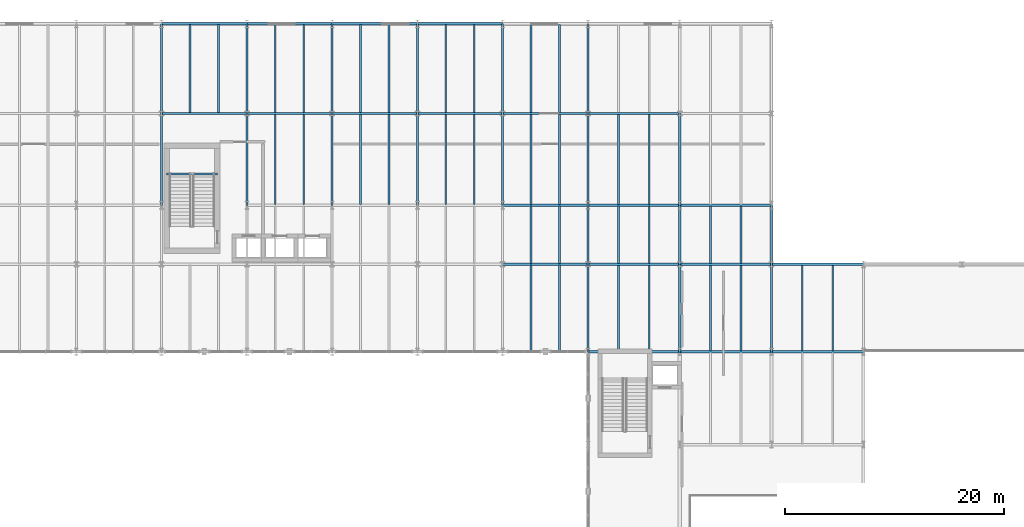
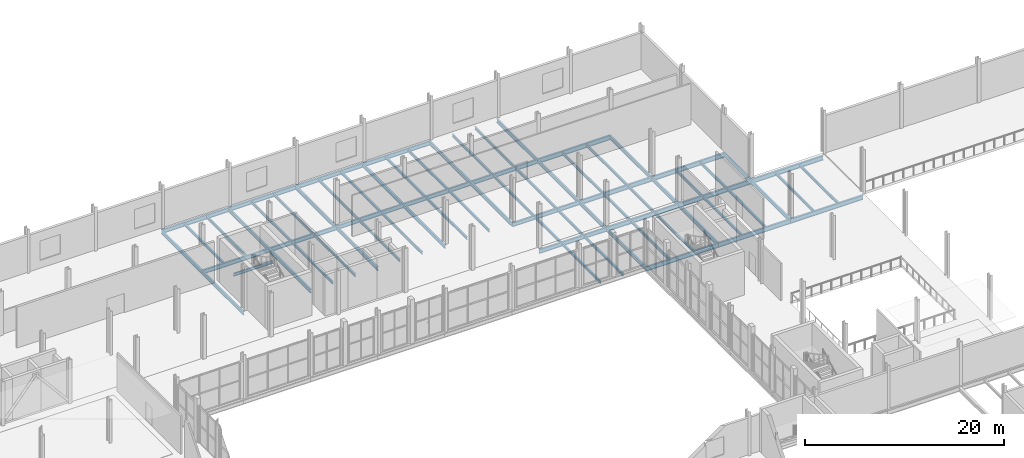
# One storey, part 33 of 78: 74 beams.
"""IFC4 building model written with IfcOpenShell, lengths in metres."""

from ifc_helpers import new_model, si_unit, direction, frame, origin, origin_2d, place, context, subcontext, project, spatial, i_section, extrude, material, material_profile, profile_set, type_object, element, save


model = new_model("IFC4")

# Units and contexts
model_context = context("Model", 3, precision=1e-05, world=origin(), true_north=direction((0.0, 1.0)))
body_context = subcontext(model_context, "Body", "Model", "MODEL_VIEW")
ifc_project = project(units=[si_unit("LENGTHUNIT", "METRE"), si_unit("AREAUNIT", "SQUARE_METRE"), si_unit("VOLUMEUNIT", "CUBIC_METRE"), si_unit("PLANEANGLEUNIT", "RADIAN"), si_unit("MASSUNIT", "GRAM", prefix="KILO")], contexts=[model_context])

# Site, building, storey
site_placement = place(None, origin())
site = spatial("IfcSite", under=ifc_project, at=site_placement, CompositionType="ELEMENT")
building_placement = place(site_placement, origin())
building = spatial("IfcBuilding", under=site, at=building_placement, Name="Sefraquen Railside Congress Hotel", CompositionType="ELEMENT")
storey_placement = place(building_placement, frame((0.0, 0.0, 6.0)))
storey = spatial("IfcBuildingStorey", under=building, at=storey_placement, Name="L01", CompositionType="ELEMENT", Elevation=6.0)

# Beams
ifc_material = material(Name="Steel S355JR", Category="steel")
ifc_material_profile_1 = material_profile(ifc_material, i_section(OverallWidth=0.169921875, OverallDepth=0.360107421875, WebThickness=0.008056640625, FlangeThickness=0.0126953125, FilletRadius=0.01806640625, at=origin_2d()), Name="IPE 360")
ifc_profile_set_1 = profile_set([ifc_material_profile_1], Name="Steel S355JR")
beam_type_1 = type_object("IfcBeamType", Name="TB-BM-360", PredefinedType="BEAM", material=ifc_profile_set_1)
beam_1_placement = place(storey_placement, frame((64.64990234375, 104.27001953125, 2.320068359375), z_axis=(1.0, 0.0, 0.0), x_axis=(0.0, 1.0, 0.0)))
element("IfcBeam", 1, at=beam_1_placement, inside=storey, type_object=beam_type_1, Name="Stair ST-H03 L01 mid-landing corbel beam", PredefinedType="BEAM", context=body_context, shape_type="SweptSolid", body=[
    extrude(i_section(OverallWidth=0.169921875, OverallDepth=0.360107421875, WebThickness=0.008056640625, FlangeThickness=0.0126953125, FilletRadius=0.01806640625, at=origin_2d()), origin(), (0.0, 0.0, 1.0), 4.66015625),
])
ifc_material_profile_2 = material_profile(ifc_material, i_section(OverallWidth=0.18994140625, OverallDepth=0.449951171875, WebThickness=0.009521484375, FlangeThickness=0.0146484375, FilletRadius=0.02099609375, at=origin_2d()), Name="IPE 450")
ifc_profile_set_2 = profile_set([ifc_material_profile_2], Name="Steel S355JR")
beam_type_2 = type_object("IfcBeamType", Name="TB-BM-450", PredefinedType="BEAM", material=ifc_profile_set_2)
beam_2_placement = place(storey_placement, frame((64.199951171875, 101.39990234375, -0.52490234375), z_axis=(0.0, 1.0, 0.0), x_axis=(-1.0, 0.0, 0.0)))
element("IfcBeam", 2, at=beam_2_placement, inside=storey, type_object=beam_type_2, Name="Floor beam BM-L01-0575", PredefinedType="BEAM", context=body_context, shape_type="SweptSolid", body=[
    extrude(i_section(OverallWidth=0.18994140625, OverallDepth=0.449951171875, WebThickness=0.009521484375, FlangeThickness=0.0146484375, FilletRadius=0.02099609375, at=origin_2d()), origin(), (0.0, 0.0, 1.0), 8.400146484375),
])
beam_3_placement = place(storey_placement, frame((64.199951171875, 109.800048828125, -0.52490234375), z_axis=(0.0, 1.0, 0.0), x_axis=(-1.0, 0.0, 0.0)))
element("IfcBeam", 3, at=beam_3_placement, inside=storey, type_object=beam_type_2, Name="Floor beam BM-L01-0576", PredefinedType="BEAM", context=body_context, shape_type="SweptSolid", body=[
    extrude(i_section(OverallWidth=0.18994140625, OverallDepth=0.449951171875, WebThickness=0.009521484375, FlangeThickness=0.0146484375, FilletRadius=0.02099609375, at=origin_2d()), origin(), (0.0, 0.0, 1.0), 8.199951171875),
])
beam_4_placement = place(storey_placement, frame((72.0, 101.39990234375, -0.52490234375), z_axis=(0.0, 1.0, 0.0), x_axis=(-1.0, 0.0, 0.0)))
element("IfcBeam", 4, at=beam_4_placement, inside=storey, type_object=beam_type_2, Name="Floor beam BM-L01-0579", PredefinedType="BEAM", context=body_context, shape_type="SweptSolid", body=[
    extrude(i_section(OverallWidth=0.18994140625, OverallDepth=0.449951171875, WebThickness=0.009521484375, FlangeThickness=0.0146484375, FilletRadius=0.02099609375, at=origin_2d()), origin(), (0.0, 0.0, 1.0), 8.400146484375),
])
beam_5_placement = place(storey_placement, frame((72.0, 109.800048828125, -0.52490234375), z_axis=(0.0, 1.0, 0.0), x_axis=(-1.0, 0.0, 0.0)))
element("IfcBeam", 5, at=beam_5_placement, inside=storey, type_object=beam_type_2, Name="Floor beam BM-L01-0580", PredefinedType="BEAM", context=body_context, shape_type="SweptSolid", body=[
    extrude(i_section(OverallWidth=0.18994140625, OverallDepth=0.449951171875, WebThickness=0.009521484375, FlangeThickness=0.0146484375, FilletRadius=0.02099609375, at=origin_2d()), origin(), (0.0, 0.0, 1.0), 8.199951171875),
])
beam_6_placement = place(storey_placement, frame((79.800048828125, 101.39990234375, -0.52490234375), z_axis=(0.0, 1.0, 0.0), x_axis=(-1.0, 0.0, 0.0)))
element("IfcBeam", 6, at=beam_6_placement, inside=storey, type_object=beam_type_2, Name="Floor beam BM-L01-0584", PredefinedType="BEAM", context=body_context, shape_type="SweptSolid", body=[
    extrude(i_section(OverallWidth=0.18994140625, OverallDepth=0.449951171875, WebThickness=0.009521484375, FlangeThickness=0.0146484375, FilletRadius=0.02099609375, at=origin_2d()), origin(), (0.0, 0.0, 1.0), 8.400146484375),
])
beam_7_placement = place(storey_placement, frame((79.800048828125, 109.800048828125, -0.52490234375), z_axis=(0.0, 1.0, 0.0), x_axis=(-1.0, 0.0, 0.0)))
element("IfcBeam", 7, at=beam_7_placement, inside=storey, type_object=beam_type_2, Name="Floor beam BM-L01-0585", PredefinedType="BEAM", context=body_context, shape_type="SweptSolid", body=[
    extrude(i_section(OverallWidth=0.18994140625, OverallDepth=0.449951171875, WebThickness=0.009521484375, FlangeThickness=0.0146484375, FilletRadius=0.02099609375, at=origin_2d()), origin(), (0.0, 0.0, 1.0), 8.199951171875),
])
beam_8_placement = place(storey_placement, frame((87.60009765625, 101.39990234375, -0.52490234375), z_axis=(0.0, 1.0, 0.0), x_axis=(-1.0, 0.0, 0.0)))
element("IfcBeam", 8, at=beam_8_placement, inside=storey, type_object=beam_type_2, Name="Floor beam BM-L01-0593", PredefinedType="BEAM", context=body_context, shape_type="SweptSolid", body=[
    extrude(i_section(OverallWidth=0.18994140625, OverallDepth=0.449951171875, WebThickness=0.009521484375, FlangeThickness=0.0146484375, FilletRadius=0.02099609375, at=origin_2d()), origin(), (0.0, 0.0, 1.0), 8.400146484375),
])
beam_9_placement = place(storey_placement, frame((87.60009765625, 109.800048828125, -0.52490234375), z_axis=(0.0, 1.0, 0.0), x_axis=(-1.0, 0.0, 0.0)))
element("IfcBeam", 9, at=beam_9_placement, inside=storey, type_object=beam_type_2, Name="Floor beam BM-L01-0594", PredefinedType="BEAM", context=body_context, shape_type="SweptSolid", body=[
    extrude(i_section(OverallWidth=0.18994140625, OverallDepth=0.449951171875, WebThickness=0.009521484375, FlangeThickness=0.0146484375, FilletRadius=0.02099609375, at=origin_2d()), origin(), (0.0, 0.0, 1.0), 8.199951171875),
])
beam_10_placement = place(storey_placement, frame((95.39990234375, 101.39990234375, -0.52490234375), z_axis=(0.0, 1.0, 0.0), x_axis=(-1.0, 0.0, 0.0)))
element("IfcBeam", 10, at=beam_10_placement, inside=storey, type_object=beam_type_2, Name="Floor beam BM-L01-0602", PredefinedType="BEAM", context=body_context, shape_type="SweptSolid", body=[
    extrude(i_section(OverallWidth=0.18994140625, OverallDepth=0.449951171875, WebThickness=0.009521484375, FlangeThickness=0.0146484375, FilletRadius=0.02099609375, at=origin_2d()), origin(), (0.0, 0.0, 1.0), 8.400146484375),
])
beam_11_placement = place(storey_placement, frame((95.39990234375, 109.800048828125, -0.52490234375), z_axis=(0.0, 1.0, 0.0), x_axis=(-1.0, 0.0, 0.0)))
element("IfcBeam", 11, at=beam_11_placement, inside=storey, type_object=beam_type_2, Name="Floor beam BM-L01-0603", PredefinedType="BEAM", context=body_context, shape_type="SweptSolid", body=[
    extrude(i_section(OverallWidth=0.18994140625, OverallDepth=0.449951171875, WebThickness=0.009521484375, FlangeThickness=0.0146484375, FilletRadius=0.02099609375, at=origin_2d()), origin(), (0.0, 0.0, 1.0), 8.199951171875),
])
beam_12_placement = place(storey_placement, frame((103.199951171875, 88.0, -0.52490234375), z_axis=(0.0, 1.0, 0.0), x_axis=(-1.0, 0.0, 0.0)))
element("IfcBeam", 12, at=beam_12_placement, inside=storey, type_object=beam_type_2, Name="Floor beam BM-L01-0613", PredefinedType="BEAM", context=body_context, shape_type="SweptSolid", body=[
    extrude(i_section(OverallWidth=0.18994140625, OverallDepth=0.449951171875, WebThickness=0.009521484375, FlangeThickness=0.0146484375, FilletRadius=0.02099609375, at=origin_2d()), origin(), (0.0, 0.0, 1.0), 8.0),
])
beam_13_placement = place(storey_placement, frame((103.199951171875, 96.0, -0.52490234375), z_axis=(0.0, 1.0, 0.0), x_axis=(-1.0, 0.0, 0.0)))
element("IfcBeam", 13, at=beam_13_placement, inside=storey, type_object=beam_type_2, Name="Floor beam BM-L01-0614", PredefinedType="BEAM", context=body_context, shape_type="SweptSolid", body=[
    extrude(i_section(OverallWidth=0.18994140625, OverallDepth=0.449951171875, WebThickness=0.009521484375, FlangeThickness=0.0146484375, FilletRadius=0.02099609375, at=origin_2d()), origin(), (0.0, 0.0, 1.0), 5.39990234375),
])
beam_14_placement = place(storey_placement, frame((103.199951171875, 101.39990234375, -0.52490234375), z_axis=(0.0, 1.0, 0.0), x_axis=(-1.0, 0.0, 0.0)))
element("IfcBeam", 14, at=beam_14_placement, inside=storey, type_object=beam_type_2, Name="Floor beam BM-L01-0615", PredefinedType="BEAM", context=body_context, shape_type="SweptSolid", body=[
    extrude(i_section(OverallWidth=0.18994140625, OverallDepth=0.449951171875, WebThickness=0.009521484375, FlangeThickness=0.0146484375, FilletRadius=0.02099609375, at=origin_2d()), origin(), (0.0, 0.0, 1.0), 8.400146484375),
])
beam_15_placement = place(storey_placement, frame((103.199951171875, 109.800048828125, -0.52490234375), z_axis=(0.0, 1.0, 0.0), x_axis=(-1.0, 0.0, 0.0)))
element("IfcBeam", 15, at=beam_15_placement, inside=storey, type_object=beam_type_2, Name="Floor beam BM-L01-0616", PredefinedType="BEAM", context=body_context, shape_type="SweptSolid", body=[
    extrude(i_section(OverallWidth=0.18994140625, OverallDepth=0.449951171875, WebThickness=0.009521484375, FlangeThickness=0.0146484375, FilletRadius=0.02099609375, at=origin_2d()), origin(), (0.0, 0.0, 1.0), 8.199951171875),
])
beam_16_placement = place(storey_placement, frame((111.60009765625, 88.0, -0.52490234375), z_axis=(0.0, 1.0, 0.0), x_axis=(-1.0, 0.0, 0.0)))
element("IfcBeam", 16, at=beam_16_placement, inside=storey, type_object=beam_type_2, Name="Floor beam BM-L01-0621", PredefinedType="BEAM", context=body_context, shape_type="SweptSolid", body=[
    extrude(i_section(OverallWidth=0.18994140625, OverallDepth=0.449951171875, WebThickness=0.009521484375, FlangeThickness=0.0146484375, FilletRadius=0.02099609375, at=origin_2d()), origin(), (0.0, 0.0, 1.0), 8.0),
])
beam_17_placement = place(storey_placement, frame((111.60009765625, 96.0, -0.52490234375), z_axis=(0.0, 1.0, 0.0), x_axis=(-1.0, 0.0, 0.0)))
element("IfcBeam", 17, at=beam_17_placement, inside=storey, type_object=beam_type_2, Name="Floor beam BM-L01-0622", PredefinedType="BEAM", context=body_context, shape_type="SweptSolid", body=[
    extrude(i_section(OverallWidth=0.18994140625, OverallDepth=0.449951171875, WebThickness=0.009521484375, FlangeThickness=0.0146484375, FilletRadius=0.02099609375, at=origin_2d()), origin(), (0.0, 0.0, 1.0), 5.39990234375),
])
beam_18_placement = place(storey_placement, frame((111.60009765625, 101.39990234375, -0.52490234375), z_axis=(0.0, 1.0, 0.0), x_axis=(-1.0, 0.0, 0.0)))
element("IfcBeam", 18, at=beam_18_placement, inside=storey, type_object=beam_type_2, Name="Floor beam BM-L01-0623", PredefinedType="BEAM", context=body_context, shape_type="SweptSolid", body=[
    extrude(i_section(OverallWidth=0.18994140625, OverallDepth=0.449951171875, WebThickness=0.009521484375, FlangeThickness=0.0146484375, FilletRadius=0.02099609375, at=origin_2d()), origin(), (0.0, 0.0, 1.0), 8.400146484375),
])
beam_19_placement = place(storey_placement, frame((120.0, 88.0, -0.52490234375), z_axis=(0.0, 1.0, 0.0), x_axis=(-1.0, 0.0, 0.0)))
element("IfcBeam", 19, at=beam_19_placement, inside=storey, type_object=beam_type_2, Name="Floor beam BM-L01-0632", PredefinedType="BEAM", context=body_context, shape_type="SweptSolid", body=[
    extrude(i_section(OverallWidth=0.18994140625, OverallDepth=0.449951171875, WebThickness=0.009521484375, FlangeThickness=0.0146484375, FilletRadius=0.02099609375, at=origin_2d()), origin(), (0.0, 0.0, 1.0), 8.0),
])
beam_20_placement = place(storey_placement, frame((120.0, 96.0, -0.52490234375), z_axis=(0.0, 1.0, 0.0), x_axis=(-1.0, 0.0, 0.0)))
element("IfcBeam", 20, at=beam_20_placement, inside=storey, type_object=beam_type_2, Name="Floor beam BM-L01-0633", PredefinedType="BEAM", context=body_context, shape_type="SweptSolid", body=[
    extrude(i_section(OverallWidth=0.18994140625, OverallDepth=0.449951171875, WebThickness=0.009521484375, FlangeThickness=0.0146484375, FilletRadius=0.02099609375, at=origin_2d()), origin(), (0.0, 0.0, 1.0), 5.39990234375),
])
ifc_material_profile_3 = material_profile(ifc_material, i_section(OverallWidth=0.199951171875, OverallDepth=0.5, WebThickness=0.01025390625, FlangeThickness=0.01611328125, FilletRadius=0.02099609375, at=origin_2d()), Name="IPE 500")
ifc_profile_set_3 = profile_set([ifc_material_profile_3], Name="Steel S355JR")
beam_type_3 = type_object("IfcBeamType", Name="TB-BM-500", PredefinedType="BEAM", material=ifc_profile_set_3)
for number, where, z_axis, x_axis, name in (
    (21, (95.39990234375, 96.0, -0.550048828125), (1.0, 0.0, 0.0), (0.0, 1.0, 0.0), "Primary girder BM-L01-0460"),
    (22, (95.39990234375, 101.39990234375, -0.550048828125), (1.0, 0.0, 0.0), (0.0, 1.0, 0.0), "Primary girder BM-L01-0478"),
    (23, (64.199951171875, 109.800048828125, -0.550048828125), (1.0, 0.0, 0.0), (0.0, 1.0, 0.0), "Primary girder BM-L01-0488"),
    (24, (72.0, 109.800048828125, -0.550048828125), (1.0, 0.0, 0.0), (0.0, 1.0, 0.0), "Primary girder BM-L01-0489"),
    (25, (79.800048828125, 109.800048828125, -0.550048828125), (1.0, 0.0, 0.0), (0.0, 1.0, 0.0), "Primary girder BM-L01-0490"),
):
    element("IfcBeam", number, at=place(storey_placement, frame(where, z_axis=z_axis, x_axis=x_axis)), inside=storey, type_object=beam_type_3, Name=name, PredefinedType="BEAM", context=body_context, shape_type="SweptSolid", body=[
        extrude(i_section(OverallWidth=0.199951171875, OverallDepth=0.5, WebThickness=0.01025390625, FlangeThickness=0.01611328125, FilletRadius=0.02099609375, at=origin_2d()), origin(), (0.0, 0.0, 1.0), 7.800048828125),
    ])
beam_21_placement = place(storey_placement, frame((87.60009765625, 109.800048828125, -0.550048828125), z_axis=(1.0, 0.0, 0.0), x_axis=(0.0, 1.0, 0.0)))
element("IfcBeam", 26, at=beam_21_placement, inside=storey, type_object=beam_type_3, Name="Primary girder BM-L01-0491", PredefinedType="BEAM", context=body_context, shape_type="SweptSolid", body=[
    extrude(i_section(OverallWidth=0.199951171875, OverallDepth=0.5, WebThickness=0.01025390625, FlangeThickness=0.01611328125, FilletRadius=0.02099609375, at=origin_2d()), origin(), (0.0, 0.0, 1.0), 7.7998046875),
])
for number, where, z_axis, x_axis, name in (
    (27, (95.39990234375, 109.800048828125, -0.550048828125), (1.0, 0.0, 0.0), (0.0, 1.0, 0.0), "Primary girder BM-L01-0492"),
    (28, (64.199951171875, 118.0, -0.550048828125), (1.0, 0.0, 0.0), (0.0, 1.0, 0.0), "Primary girder BM-L01-0500"),
    (29, (72.0, 118.0, -0.550048828125), (1.0, 0.0, 0.0), (0.0, 1.0, 0.0), "Primary girder BM-L01-0501"),
    (30, (79.800048828125, 118.0, -0.550048828125), (1.0, 0.0, 0.0), (0.0, 1.0, 0.0), "Primary girder BM-L01-0502"),
):
    element("IfcBeam", number, at=place(storey_placement, frame(where, z_axis=z_axis, x_axis=x_axis)), inside=storey, type_object=beam_type_3, Name=name, PredefinedType="BEAM", context=body_context, shape_type="SweptSolid", body=[
        extrude(i_section(OverallWidth=0.199951171875, OverallDepth=0.5, WebThickness=0.01025390625, FlangeThickness=0.01611328125, FilletRadius=0.02099609375, at=origin_2d()), origin(), (0.0, 0.0, 1.0), 7.800048828125),
    ])
beam_22_placement = place(storey_placement, frame((87.60009765625, 118.0, -0.550048828125), z_axis=(1.0, 0.0, 0.0), x_axis=(0.0, 1.0, 0.0)))
element("IfcBeam", 31, at=beam_22_placement, inside=storey, type_object=beam_type_3, Name="Primary girder BM-L01-0503", PredefinedType="BEAM", context=body_context, shape_type="SweptSolid", body=[
    extrude(i_section(OverallWidth=0.199951171875, OverallDepth=0.5, WebThickness=0.01025390625, FlangeThickness=0.01611328125, FilletRadius=0.02099609375, at=origin_2d()), origin(), (0.0, 0.0, 1.0), 7.7998046875),
])
ifc_material_profile_4 = material_profile(ifc_material, i_section(OverallWidth=0.2099609375, OverallDepth=0.550048828125, WebThickness=0.010986328125, FlangeThickness=0.01708984375, FilletRadius=0.02392578125, at=origin_2d()), Name="IPE 550")
ifc_profile_set_4 = profile_set([ifc_material_profile_4], Name="Steel S355JR")
beam_type_4 = type_object("IfcBeamType", Name="TB-GIR-550", PredefinedType="T_BEAM", material=ifc_profile_set_4)
beam_23_placement = place(storey_placement, frame((103.199951171875, 88.0, -0.574951171875), z_axis=(1.0, 0.0, 0.0), x_axis=(0.0, 1.0, 0.0)))
element("IfcBeam", 32, at=beam_23_placement, inside=storey, type_object=beam_type_4, Name="Primary girder BM-L01-0446", PredefinedType="T_BEAM", context=body_context, shape_type="SweptSolid", body=[
    extrude(i_section(OverallWidth=0.2099609375, OverallDepth=0.550048828125, WebThickness=0.010986328125, FlangeThickness=0.01708984375, FilletRadius=0.02392578125, at=origin_2d()), origin(), (0.0, 0.0, 1.0), 8.400146484375),
])
for number, where, z_axis, x_axis, name in (
    (33, (111.60009765625, 88.0, -0.574951171875), (1.0, 0.0, 0.0), (0.0, 1.0, 0.0), "Primary girder BM-L01-0447"),
    (34, (120.0, 88.0, -0.574951171875), (1.0, 0.0, 0.0), (0.0, 1.0, 0.0), "Primary girder BM-L01-0448"),
):
    element("IfcBeam", number, at=place(storey_placement, frame(where, z_axis=z_axis, x_axis=x_axis)), inside=storey, type_object=beam_type_4, Name=name, PredefinedType="T_BEAM", context=body_context, shape_type="SweptSolid", body=[
        extrude(i_section(OverallWidth=0.2099609375, OverallDepth=0.550048828125, WebThickness=0.010986328125, FlangeThickness=0.01708984375, FilletRadius=0.02392578125, at=origin_2d()), origin(), (0.0, 0.0, 1.0), 8.39990234375),
    ])
beam_24_placement = place(storey_placement, frame((103.199951171875, 96.0, -0.574951171875), z_axis=(1.0, 0.0, 0.0), x_axis=(0.0, 1.0, 0.0)))
element("IfcBeam", 35, at=beam_24_placement, inside=storey, type_object=beam_type_4, Name="Primary girder BM-L01-0461", PredefinedType="T_BEAM", context=body_context, shape_type="SweptSolid", body=[
    extrude(i_section(OverallWidth=0.2099609375, OverallDepth=0.550048828125, WebThickness=0.010986328125, FlangeThickness=0.01708984375, FilletRadius=0.02392578125, at=origin_2d()), origin(), (0.0, 0.0, 1.0), 8.400146484375),
])
for number, where, z_axis, x_axis, name in (
    (36, (111.60009765625, 96.0, -0.574951171875), (1.0, 0.0, 0.0), (0.0, 1.0, 0.0), "Primary girder BM-L01-0462"),
    (37, (120.0, 96.0, -0.574951171875), (1.0, 0.0, 0.0), (0.0, 1.0, 0.0), "Primary girder BM-L01-0463"),
):
    element("IfcBeam", number, at=place(storey_placement, frame(where, z_axis=z_axis, x_axis=x_axis)), inside=storey, type_object=beam_type_4, Name=name, PredefinedType="T_BEAM", context=body_context, shape_type="SweptSolid", body=[
        extrude(i_section(OverallWidth=0.2099609375, OverallDepth=0.550048828125, WebThickness=0.010986328125, FlangeThickness=0.01708984375, FilletRadius=0.02392578125, at=origin_2d()), origin(), (0.0, 0.0, 1.0), 8.39990234375),
    ])
beam_25_placement = place(storey_placement, frame((103.199951171875, 101.39990234375, -0.574951171875), z_axis=(1.0, 0.0, 0.0), x_axis=(0.0, 1.0, 0.0)))
element("IfcBeam", 38, at=beam_25_placement, inside=storey, type_object=beam_type_4, Name="Primary girder BM-L01-0479", PredefinedType="T_BEAM", context=body_context, shape_type="SweptSolid", body=[
    extrude(i_section(OverallWidth=0.2099609375, OverallDepth=0.550048828125, WebThickness=0.010986328125, FlangeThickness=0.01708984375, FilletRadius=0.02392578125, at=origin_2d()), origin(), (0.0, 0.0, 1.0), 8.400146484375),
])
beam_26_placement = place(storey_placement, frame((111.60009765625, 101.39990234375, -0.574951171875), z_axis=(1.0, 0.0, 0.0), x_axis=(0.0, 1.0, 0.0)))
element("IfcBeam", 39, at=beam_26_placement, inside=storey, type_object=beam_type_4, Name="Primary girder BM-L01-0480", PredefinedType="T_BEAM", context=body_context, shape_type="SweptSolid", body=[
    extrude(i_section(OverallWidth=0.2099609375, OverallDepth=0.550048828125, WebThickness=0.010986328125, FlangeThickness=0.01708984375, FilletRadius=0.02392578125, at=origin_2d()), origin(), (0.0, 0.0, 1.0), 8.39990234375),
])
beam_27_placement = place(storey_placement, frame((103.199951171875, 109.800048828125, -0.574951171875), z_axis=(1.0, 0.0, 0.0), x_axis=(0.0, 1.0, 0.0)))
element("IfcBeam", 40, at=beam_27_placement, inside=storey, type_object=beam_type_4, Name="Primary girder BM-L01-0493", PredefinedType="T_BEAM", context=body_context, shape_type="SweptSolid", body=[
    extrude(i_section(OverallWidth=0.2099609375, OverallDepth=0.550048828125, WebThickness=0.010986328125, FlangeThickness=0.01708984375, FilletRadius=0.02392578125, at=origin_2d()), origin(), (0.0, 0.0, 1.0), 8.400146484375),
])
ifc_material_profile_5 = material_profile(ifc_material, i_section(OverallWidth=0.159912109375, OverallDepth=0.330078125, WebThickness=0.007568359375, FlangeThickness=0.011474609375, FilletRadius=0.01806640625, at=origin_2d()), Name="IPE 330")
ifc_profile_set_5 = profile_set([ifc_material_profile_5], Name="Steel S355JR")
beam_type_5 = type_object("IfcBeamType", Name="TB-JST-330", PredefinedType="JOIST", material=ifc_profile_set_5)
for number, where, z_axis, x_axis, name in (
    (41, (66.800048828125, 109.8798828125, -0.465087890625), (0.0, 1.0, 0.0), (-1.0, 0.0, 0.0), "Composite floor joist BM-L01-J0304"),
    (42, (69.39990234375, 109.8798828125, -0.465087890625), (0.0, 1.0, 0.0), (-1.0, 0.0, 0.0), "Composite floor joist BM-L01-J0305"),
):
    element("IfcBeam", number, at=place(storey_placement, frame(where, z_axis=z_axis, x_axis=x_axis)), inside=storey, type_object=beam_type_5, Name=name, PredefinedType="JOIST", context=body_context, shape_type="SweptSolid", body=[
        extrude(i_section(OverallWidth=0.159912109375, OverallDepth=0.330078125, WebThickness=0.007568359375, FlangeThickness=0.011474609375, FilletRadius=0.01806640625, at=origin_2d()), origin(), (0.0, 0.0, 1.0), 8.0400390625),
    ])
for number, where, z_axis, x_axis, name in (
    (43, (74.60009765625, 101.47998046875, -0.465087890625), (0.0, 1.0, 0.0), (-1.0, 0.0, 0.0), "Composite floor joist BM-L01-J0310"),
    (44, (77.199951171875, 101.47998046875, -0.465087890625), (0.0, 1.0, 0.0), (-1.0, 0.0, 0.0), "Composite floor joist BM-L01-J0311"),
):
    element("IfcBeam", number, at=place(storey_placement, frame(where, z_axis=z_axis, x_axis=x_axis)), inside=storey, type_object=beam_type_5, Name=name, PredefinedType="JOIST", context=body_context, shape_type="SweptSolid", body=[
        extrude(i_section(OverallWidth=0.159912109375, OverallDepth=0.330078125, WebThickness=0.007568359375, FlangeThickness=0.011474609375, FilletRadius=0.01806640625, at=origin_2d()), origin(), (0.0, 0.0, 1.0), 8.239990234375),
    ])
for number, where, z_axis, x_axis, name in (
    (45, (74.60009765625, 109.8798828125, -0.465087890625), (0.0, 1.0, 0.0), (-1.0, 0.0, 0.0), "Composite floor joist BM-L01-J0312"),
    (46, (77.199951171875, 109.8798828125, -0.465087890625), (0.0, 1.0, 0.0), (-1.0, 0.0, 0.0), "Composite floor joist BM-L01-J0313"),
):
    element("IfcBeam", number, at=place(storey_placement, frame(where, z_axis=z_axis, x_axis=x_axis)), inside=storey, type_object=beam_type_5, Name=name, PredefinedType="JOIST", context=body_context, shape_type="SweptSolid", body=[
        extrude(i_section(OverallWidth=0.159912109375, OverallDepth=0.330078125, WebThickness=0.007568359375, FlangeThickness=0.011474609375, FilletRadius=0.01806640625, at=origin_2d()), origin(), (0.0, 0.0, 1.0), 8.0400390625),
    ])
for number, where, z_axis, x_axis, name in (
    (47, (82.39990234375, 101.47998046875, -0.465087890625), (0.0, 1.0, 0.0), (-1.0, 0.0, 0.0), "Composite floor joist BM-L01-J0320"),
    (48, (85.0, 101.47998046875, -0.465087890625), (0.0, 1.0, 0.0), (-1.0, 0.0, 0.0), "Composite floor joist BM-L01-J0321"),
):
    element("IfcBeam", number, at=place(storey_placement, frame(where, z_axis=z_axis, x_axis=x_axis)), inside=storey, type_object=beam_type_5, Name=name, PredefinedType="JOIST", context=body_context, shape_type="SweptSolid", body=[
        extrude(i_section(OverallWidth=0.159912109375, OverallDepth=0.330078125, WebThickness=0.007568359375, FlangeThickness=0.011474609375, FilletRadius=0.01806640625, at=origin_2d()), origin(), (0.0, 0.0, 1.0), 8.239990234375),
    ])
for number, where, z_axis, x_axis, name in (
    (49, (82.39990234375, 109.8798828125, -0.465087890625), (0.0, 1.0, 0.0), (-1.0, 0.0, 0.0), "Composite floor joist BM-L01-J0322"),
    (50, (85.0, 109.8798828125, -0.465087890625), (0.0, 1.0, 0.0), (-1.0, 0.0, 0.0), "Composite floor joist BM-L01-J0323"),
):
    element("IfcBeam", number, at=place(storey_placement, frame(where, z_axis=z_axis, x_axis=x_axis)), inside=storey, type_object=beam_type_5, Name=name, PredefinedType="JOIST", context=body_context, shape_type="SweptSolid", body=[
        extrude(i_section(OverallWidth=0.159912109375, OverallDepth=0.330078125, WebThickness=0.007568359375, FlangeThickness=0.011474609375, FilletRadius=0.01806640625, at=origin_2d()), origin(), (0.0, 0.0, 1.0), 8.0400390625),
    ])
for number, where, z_axis, x_axis, name in (
    (51, (90.199951171875, 101.47998046875, -0.465087890625), (0.0, 1.0, 0.0), (-1.0, 0.0, 0.0), "Composite floor joist BM-L01-J0338"),
    (52, (92.800048828125, 101.47998046875, -0.465087890625), (0.0, 1.0, 0.0), (-1.0, 0.0, 0.0), "Composite floor joist BM-L01-J0339"),
):
    element("IfcBeam", number, at=place(storey_placement, frame(where, z_axis=z_axis, x_axis=x_axis)), inside=storey, type_object=beam_type_5, Name=name, PredefinedType="JOIST", context=body_context, shape_type="SweptSolid", body=[
        extrude(i_section(OverallWidth=0.159912109375, OverallDepth=0.330078125, WebThickness=0.007568359375, FlangeThickness=0.011474609375, FilletRadius=0.01806640625, at=origin_2d()), origin(), (0.0, 0.0, 1.0), 8.239990234375),
    ])
for number, where, z_axis, x_axis, name in (
    (53, (90.199951171875, 109.8798828125, -0.465087890625), (0.0, 1.0, 0.0), (-1.0, 0.0, 0.0), "Composite floor joist BM-L01-J0340"),
    (54, (92.800048828125, 109.8798828125, -0.465087890625), (0.0, 1.0, 0.0), (-1.0, 0.0, 0.0), "Composite floor joist BM-L01-J0341"),
):
    element("IfcBeam", number, at=place(storey_placement, frame(where, z_axis=z_axis, x_axis=x_axis)), inside=storey, type_object=beam_type_5, Name=name, PredefinedType="JOIST", context=body_context, shape_type="SweptSolid", body=[
        extrude(i_section(OverallWidth=0.159912109375, OverallDepth=0.330078125, WebThickness=0.007568359375, FlangeThickness=0.011474609375, FilletRadius=0.01806640625, at=origin_2d()), origin(), (0.0, 0.0, 1.0), 8.0400390625),
    ])
for number, where, z_axis, x_axis, name in (
    (55, (98.0, 88.080078125, -0.465087890625), (0.0, 1.0, 0.0), (-1.0, 0.0, 0.0), "Composite floor joist BM-L01-J0346"),
    (56, (100.60009765625, 88.080078125, -0.465087890625), (0.0, 1.0, 0.0), (-1.0, 0.0, 0.0), "Composite floor joist BM-L01-J0347"),
):
    element("IfcBeam", number, at=place(storey_placement, frame(where, z_axis=z_axis, x_axis=x_axis)), inside=storey, type_object=beam_type_5, Name=name, PredefinedType="JOIST", context=body_context, shape_type="SweptSolid", body=[
        extrude(i_section(OverallWidth=0.159912109375, OverallDepth=0.330078125, WebThickness=0.007568359375, FlangeThickness=0.011474609375, FilletRadius=0.01806640625, at=origin_2d()), origin(), (0.0, 0.0, 1.0), 7.83984375),
    ])
for number, where, z_axis, x_axis, name in (
    (57, (98.0, 96.080078125, -0.465087890625), (0.0, 1.0, 0.0), (-1.0, 0.0, 0.0), "Composite floor joist BM-L01-J0348"),
    (58, (100.60009765625, 96.080078125, -0.465087890625), (0.0, 1.0, 0.0), (-1.0, 0.0, 0.0), "Composite floor joist BM-L01-J0349"),
):
    element("IfcBeam", number, at=place(storey_placement, frame(where, z_axis=z_axis, x_axis=x_axis)), inside=storey, type_object=beam_type_5, Name=name, PredefinedType="JOIST", context=body_context, shape_type="SweptSolid", body=[
        extrude(i_section(OverallWidth=0.159912109375, OverallDepth=0.330078125, WebThickness=0.007568359375, FlangeThickness=0.011474609375, FilletRadius=0.01806640625, at=origin_2d()), origin(), (0.0, 0.0, 1.0), 5.239990234375),
    ])
for number, where, z_axis, x_axis, name in (
    (59, (98.0, 101.47998046875, -0.465087890625), (0.0, 1.0, 0.0), (-1.0, 0.0, 0.0), "Composite floor joist BM-L01-J0350"),
    (60, (100.60009765625, 101.47998046875, -0.465087890625), (0.0, 1.0, 0.0), (-1.0, 0.0, 0.0), "Composite floor joist BM-L01-J0351"),
):
    element("IfcBeam", number, at=place(storey_placement, frame(where, z_axis=z_axis, x_axis=x_axis)), inside=storey, type_object=beam_type_5, Name=name, PredefinedType="JOIST", context=body_context, shape_type="SweptSolid", body=[
        extrude(i_section(OverallWidth=0.159912109375, OverallDepth=0.330078125, WebThickness=0.007568359375, FlangeThickness=0.011474609375, FilletRadius=0.01806640625, at=origin_2d()), origin(), (0.0, 0.0, 1.0), 8.239990234375),
    ])
for number, where, z_axis, x_axis, name in (
    (61, (98.0, 109.8798828125, -0.465087890625), (0.0, 1.0, 0.0), (-1.0, 0.0, 0.0), "Composite floor joist BM-L01-J0352"),
    (62, (100.60009765625, 109.8798828125, -0.465087890625), (0.0, 1.0, 0.0), (-1.0, 0.0, 0.0), "Composite floor joist BM-L01-J0353"),
):
    element("IfcBeam", number, at=place(storey_placement, frame(where, z_axis=z_axis, x_axis=x_axis)), inside=storey, type_object=beam_type_5, Name=name, PredefinedType="JOIST", context=body_context, shape_type="SweptSolid", body=[
        extrude(i_section(OverallWidth=0.159912109375, OverallDepth=0.330078125, WebThickness=0.007568359375, FlangeThickness=0.011474609375, FilletRadius=0.01806640625, at=origin_2d()), origin(), (0.0, 0.0, 1.0), 8.0400390625),
    ])
for number, where, z_axis, x_axis, name in (
    (63, (106.0, 88.0849609375, -0.465087890625), (0.0, 1.0, 0.0), (-1.0, 0.0, 0.0), "Composite floor joist BM-L01-J0354"),
    (64, (108.800048828125, 88.0849609375, -0.465087890625), (0.0, 1.0, 0.0), (-1.0, 0.0, 0.0), "Composite floor joist BM-L01-J0355"),
):
    element("IfcBeam", number, at=place(storey_placement, frame(where, z_axis=z_axis, x_axis=x_axis)), inside=storey, type_object=beam_type_5, Name=name, PredefinedType="JOIST", context=body_context, shape_type="SweptSolid", body=[
        extrude(i_section(OverallWidth=0.159912109375, OverallDepth=0.330078125, WebThickness=0.007568359375, FlangeThickness=0.011474609375, FilletRadius=0.01806640625, at=origin_2d()), origin(), (0.0, 0.0, 1.0), 7.830078125),
    ])
for number, where, z_axis, x_axis, name in (
    (65, (106.0, 96.0849609375, -0.465087890625), (0.0, 1.0, 0.0), (-1.0, 0.0, 0.0), "Composite floor joist BM-L01-J0356"),
    (66, (108.800048828125, 96.0849609375, -0.465087890625), (0.0, 1.0, 0.0), (-1.0, 0.0, 0.0), "Composite floor joist BM-L01-J0357"),
):
    element("IfcBeam", number, at=place(storey_placement, frame(where, z_axis=z_axis, x_axis=x_axis)), inside=storey, type_object=beam_type_5, Name=name, PredefinedType="JOIST", context=body_context, shape_type="SweptSolid", body=[
        extrude(i_section(OverallWidth=0.159912109375, OverallDepth=0.330078125, WebThickness=0.007568359375, FlangeThickness=0.011474609375, FilletRadius=0.01806640625, at=origin_2d()), origin(), (0.0, 0.0, 1.0), 5.22998046875),
    ])
for number, where, z_axis, x_axis, name in (
    (67, (106.0, 101.485107421875, -0.465087890625), (0.0, 1.0, 0.0), (-1.0, 0.0, 0.0), "Composite floor joist BM-L01-J0358"),
    (68, (108.800048828125, 101.485107421875, -0.465087890625), (0.0, 1.0, 0.0), (-1.0, 0.0, 0.0), "Composite floor joist BM-L01-J0359"),
):
    element("IfcBeam", number, at=place(storey_placement, frame(where, z_axis=z_axis, x_axis=x_axis)), inside=storey, type_object=beam_type_5, Name=name, PredefinedType="JOIST", context=body_context, shape_type="SweptSolid", body=[
        extrude(i_section(OverallWidth=0.159912109375, OverallDepth=0.330078125, WebThickness=0.007568359375, FlangeThickness=0.011474609375, FilletRadius=0.01806640625, at=origin_2d()), origin(), (0.0, 0.0, 1.0), 8.22998046875),
    ])
for number, where, z_axis, x_axis, name in (
    (69, (114.39990234375, 88.0849609375, -0.465087890625), (0.0, 1.0, 0.0), (-1.0, 0.0, 0.0), "Composite floor joist BM-L01-J0366"),
    (70, (117.199951171875, 88.0849609375, -0.465087890625), (0.0, 1.0, 0.0), (-1.0, 0.0, 0.0), "Composite floor joist BM-L01-J0367"),
):
    element("IfcBeam", number, at=place(storey_placement, frame(where, z_axis=z_axis, x_axis=x_axis)), inside=storey, type_object=beam_type_5, Name=name, PredefinedType="JOIST", context=body_context, shape_type="SweptSolid", body=[
        extrude(i_section(OverallWidth=0.159912109375, OverallDepth=0.330078125, WebThickness=0.007568359375, FlangeThickness=0.011474609375, FilletRadius=0.01806640625, at=origin_2d()), origin(), (0.0, 0.0, 1.0), 7.830078125),
    ])
for number, where, z_axis, x_axis, name in (
    (71, (114.39990234375, 96.0849609375, -0.465087890625), (0.0, 1.0, 0.0), (-1.0, 0.0, 0.0), "Composite floor joist BM-L01-J0368"),
    (72, (117.199951171875, 96.0849609375, -0.465087890625), (0.0, 1.0, 0.0), (-1.0, 0.0, 0.0), "Composite floor joist BM-L01-J0369"),
):
    element("IfcBeam", number, at=place(storey_placement, frame(where, z_axis=z_axis, x_axis=x_axis)), inside=storey, type_object=beam_type_5, Name=name, PredefinedType="JOIST", context=body_context, shape_type="SweptSolid", body=[
        extrude(i_section(OverallWidth=0.159912109375, OverallDepth=0.330078125, WebThickness=0.007568359375, FlangeThickness=0.011474609375, FilletRadius=0.01806640625, at=origin_2d()), origin(), (0.0, 0.0, 1.0), 5.22998046875),
    ])
for number, where, z_axis, x_axis, name in (
    (73, (122.800048828125, 88.0849609375, -0.465087890625), (0.0, 1.0, 0.0), (-1.0, 0.0, 0.0), "Composite floor joist BM-L01-J0388"),
    (74, (125.60009765625, 88.0849609375, -0.465087890625), (0.0, 1.0, 0.0), (-1.0, 0.0, 0.0), "Composite floor joist BM-L01-J0389"),
):
    element("IfcBeam", number, at=place(storey_placement, frame(where, z_axis=z_axis, x_axis=x_axis)), inside=storey, type_object=beam_type_5, Name=name, PredefinedType="JOIST", context=body_context, shape_type="SweptSolid", body=[
        extrude(i_section(OverallWidth=0.159912109375, OverallDepth=0.330078125, WebThickness=0.007568359375, FlangeThickness=0.011474609375, FilletRadius=0.01806640625, at=origin_2d()), origin(), (0.0, 0.0, 1.0), 7.830078125),
    ])

save(model, "model.ifc")
